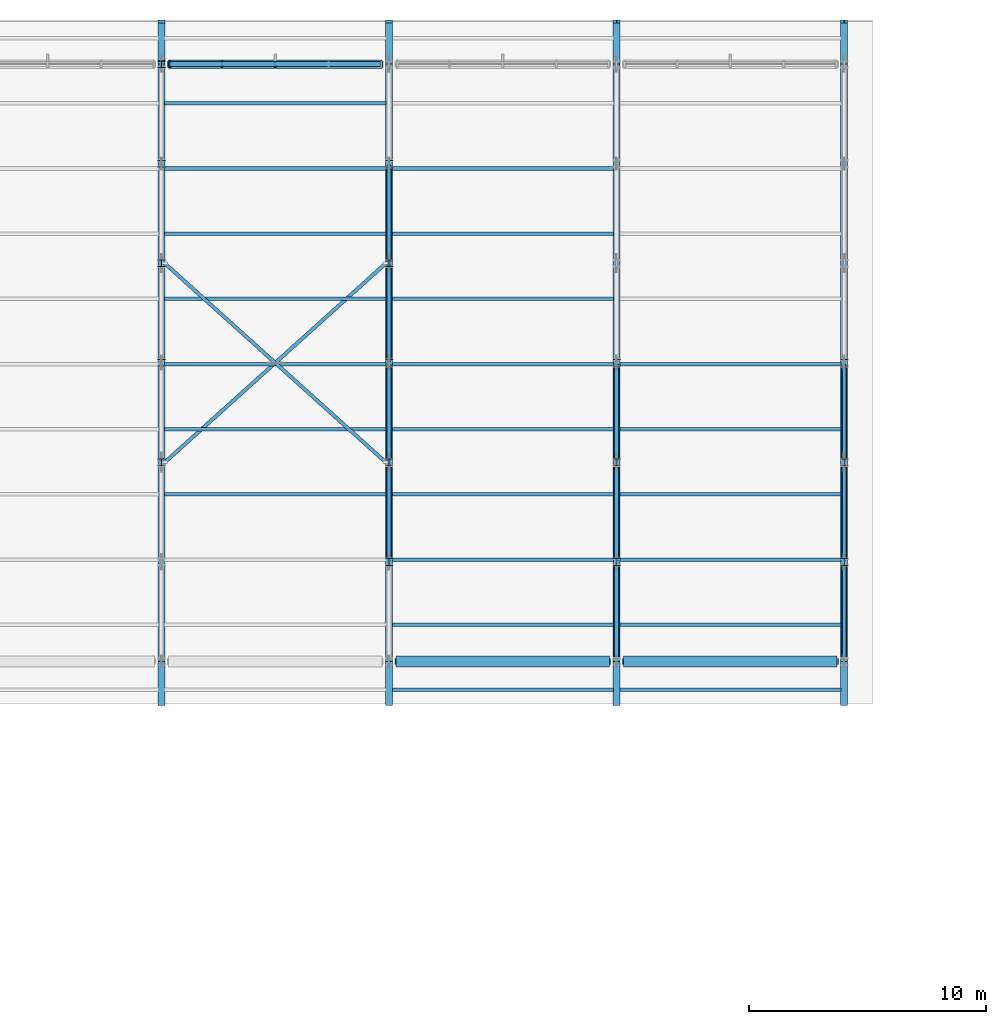
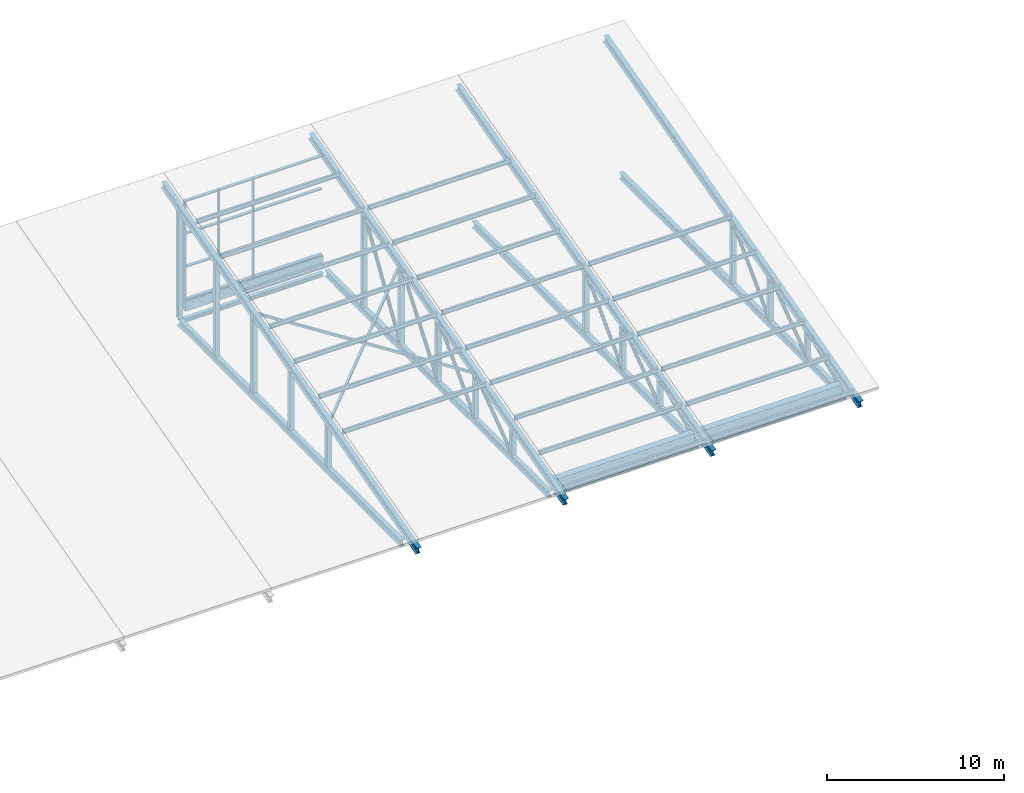
# One storey, part 7 of 37: 61 members, 11 beams, 1 element without a shape of its own.
"""IFC4 building model written with IfcOpenShell, lengths in metres."""

from ifc_helpers import new_model, si_unit, direction, frame, origin, origin_2d, place, context, subcontext, project, spatial, rectangle, hollow_rectangle, hollow_circle, i_section, extrude, material, material_profile, profile_set, type_object, element, aggregate, save


model = new_model("IFC4")

# Units and contexts
model_context = context("Model", 3, precision=1e-05, world=origin(), true_north=direction((0.0, 1.0)))
body_context = subcontext(model_context, "Body", "Model", "MODEL_VIEW")
ifc_project = project(units=[si_unit("LENGTHUNIT", "METRE"), si_unit("AREAUNIT", "SQUARE_METRE"), si_unit("VOLUMEUNIT", "CUBIC_METRE"), si_unit("PLANEANGLEUNIT", "RADIAN"), si_unit("MASSUNIT", "GRAM", prefix="KILO")], contexts=[model_context])

# Site, building, storey
site_placement = place(None, origin())
site = spatial("IfcSite", under=ifc_project, at=site_placement, CompositionType="ELEMENT")
building_placement = place(site_placement, origin())
building = spatial("IfcBuilding", under=site, at=building_placement, Name="Shalvenor Court Art Gallery", CompositionType="ELEMENT")
storey_placement = place(building_placement, frame((0.0, 0.0, 22.199951171875)))
storey = spatial("IfcBuildingStorey", under=building, at=storey_placement, Name="L04", CompositionType="ELEMENT", Elevation=22.199951171875)

# Beams
ifc_material_1 = material(Name="Concrete C40/50", Category="concrete")
ifc_material_profile_1 = material_profile(ifc_material_1, rectangle(XDim=0.449951171875, YDim=0.75, at=origin_2d()), Name="RC 450x750")
ifc_profile_set_1 = profile_set([ifc_material_profile_1], Name="Concrete C40/50")
beam_type_1 = type_object("IfcBeamType", Name="B-04", PredefinedType="BEAM", material=ifc_profile_set_1)
for number, where, z_axis, x_axis, name in (
    (1, (105.89990234375, 97.199951171875, -0.675048828125), (1.0, 0.0, 0.0), (0.0, 1.0, 0.0), "L04 Girder BM-L04-B-04-1242"),
    (2, (115.5, 97.199951171875, -0.675048828125), (1.0, 0.0, 0.0), (0.0, 1.0, 0.0), "L04 Girder BM-L04-B-04-1243"),
):
    element("IfcBeam", number, at=place(storey_placement, frame(where, z_axis=z_axis, x_axis=x_axis)), inside=storey, type_object=beam_type_1, Name=name, PredefinedType="BEAM", context=body_context, shape_type="SweptSolid", body=[
        extrude(rectangle(XDim=0.449951171875, YDim=0.75, at=origin_2d()), origin(), (0.0, 0.0, 1.0), 9.0),
    ])

# Curtain wall, members
ifc_material_2 = material(Name="Anodised aluminium and low-iron glass curtain wall", Category="aluminium")
curtain_wall_type = type_object("IfcCurtainWallType", Name="CW-NL-V2", PredefinedType="USERDEFINED", material=ifc_material_2)
curtain_wall_placement = place(storey_placement, origin())
curtain_wall = element("IfcCurtainWall", 3, at=curtain_wall_placement, inside=storey, type_object=curtain_wall_type, Name="L04 V2 North Light Clerestory 5", ObjectType="CURTAIN WALL", PredefinedType="USERDEFINED")
ifc_material_3 = material(Name="Dark anodised bronze aluminium mullion", Category="aluminium")
ifc_material_profile_2 = material_profile(ifc_material_3, rectangle(XDim=0.080078125, YDim=0.239990234375, at=origin_2d()), Name="CWM-05")
ifc_profile_set_2 = profile_set([ifc_material_profile_2], Name="Dark anodised bronze aluminium mullion")
member_type_1 = type_object("IfcMemberType", Name="CWM-05", PredefinedType="MULLION", material=ifc_profile_set_2)
member_1_placement = place(storey_placement, frame((96.340087890625, 122.39990234375, 0.0), z_axis=(0.0, 0.0, 1.0), x_axis=(1.0, 0.0, 0.0)))
member_1 = element("IfcMember", 4, at=member_1_placement, type_object=member_type_1, Name="CW-NL-V2 mullion 1", PredefinedType="MULLION", context=body_context, shape_type="SweptSolid", body=[
    extrude(rectangle(XDim=0.080078125, YDim=0.239990234375, at=origin_2d()), origin(), (0.0, 0.0, 1.0), 6.85009765625),
])
member_2_placement = place(storey_placement, frame((98.550048828125, 122.39990234375, 0.0), z_axis=(0.0, 0.0, 1.0), x_axis=(1.0, 0.0, 0.0)))
member_2 = element("IfcMember", 5, at=member_2_placement, type_object=member_type_1, Name="CW-NL-V2 mullion 2", PredefinedType="MULLION", context=body_context, shape_type="SweptSolid", body=[
    extrude(rectangle(XDim=0.080078125, YDim=0.239990234375, at=origin_2d()), origin(), (0.0, 0.0, 1.0), 6.85009765625),
])
member_3_placement = place(storey_placement, frame((100.800048828125, 122.39990234375, 0.0), z_axis=(0.0, 0.0, 1.0), x_axis=(1.0, 0.0, 0.0)))
member_3 = element("IfcMember", 6, at=member_3_placement, type_object=member_type_1, Name="CW-NL-V2 mullion 3", PredefinedType="MULLION", context=body_context, shape_type="SweptSolid", body=[
    extrude(rectangle(XDim=0.080078125, YDim=0.239990234375, at=origin_2d()), origin(), (0.0, 0.0, 1.0), 6.85009765625),
])
ifc_material_4 = material(Name="Dark anodised bronze aluminium transom", Category="aluminium")
ifc_material_profile_3 = material_profile(ifc_material_4, rectangle(XDim=0.2099609375, YDim=0.074951171875, at=origin_2d()), Name="CWT-05")
ifc_profile_set_3 = profile_set([ifc_material_profile_3], Name="Dark anodised bronze aluminium transom")
member_type_2 = type_object("IfcMemberType", Name="CWT-05", PredefinedType="USERDEFINED", material=ifc_profile_set_3)
member_4_placement = place(storey_placement, frame((96.340087890625, 122.39990234375, 0.03759765625), z_axis=(1.0, 0.0, 0.0), x_axis=(0.0, 1.0, 0.0)))
member_4 = element("IfcMember", 7, at=member_4_placement, type_object=member_type_2, Name="CW-NL-V2 transom 1", ObjectType="TRANSOM", PredefinedType="USERDEFINED", context=body_context, shape_type="SweptSolid", body=[
    extrude(rectangle(XDim=0.2099609375, YDim=0.074951171875, at=origin_2d()), origin(), (0.0, 0.0, 1.0), 8.919921875),
])
member_5_placement = place(storey_placement, frame((96.340087890625, 122.39990234375, 2.283447265625), z_axis=(1.0, 0.0, 0.0), x_axis=(0.0, 1.0, 0.0)))
member_5 = element("IfcMember", 8, at=member_5_placement, type_object=member_type_2, Name="CW-NL-V2 transom 2", ObjectType="TRANSOM", PredefinedType="USERDEFINED", context=body_context, shape_type="SweptSolid", body=[
    extrude(rectangle(XDim=0.2099609375, YDim=0.074951171875, at=origin_2d()), origin(), (0.0, 0.0, 1.0), 8.919921875),
])
member_6_placement = place(storey_placement, frame((96.340087890625, 122.39990234375, 4.566650390625), z_axis=(1.0, 0.0, 0.0), x_axis=(0.0, 1.0, 0.0)))
member_6 = element("IfcMember", 9, at=member_6_placement, type_object=member_type_2, Name="CW-NL-V2 transom 3", ObjectType="TRANSOM", PredefinedType="USERDEFINED", context=body_context, shape_type="SweptSolid", body=[
    extrude(rectangle(XDim=0.2099609375, YDim=0.074951171875, at=origin_2d()), origin(), (0.0, 0.0, 1.0), 8.919921875),
])
member_7_placement = place(storey_placement, frame((96.340087890625, 122.39990234375, 6.8125), z_axis=(1.0, 0.0, 0.0), x_axis=(0.0, 1.0, 0.0)))
member_7 = element("IfcMember", 10, at=member_7_placement, type_object=member_type_2, Name="CW-NL-V2 transom 4", ObjectType="TRANSOM", PredefinedType="USERDEFINED", context=body_context, shape_type="SweptSolid", body=[
    extrude(rectangle(XDim=0.2099609375, YDim=0.074951171875, at=origin_2d()), origin(), (0.0, 0.0, 1.0), 8.919921875),
])
aggregate(curtain_wall, [member_1, member_2, member_3, member_4, member_5, member_6, member_7])

# Members
ifc_material_5 = material(Name="Steel S355", Category="steel")
ifc_material_profile_4 = material_profile(ifc_material_5, i_section(OverallWidth=0.14990234375, OverallDepth=0.300048828125, WebThickness=0.007080078125, FlangeThickness=0.0107421875, at=origin_2d()), Name="IPE 300")
ifc_profile_set_4 = profile_set([ifc_material_profile_4], Name="Steel S355")
member_type_3 = type_object("IfcMemberType", Name="PR-01", PredefinedType="PURLIN", material=ifc_profile_set_4)
for number, where, z_axis, x_axis, name in (
    (11, (96.135009765625, 104.25, 1.99072265625), (1.0, 0.0, 0.0), (0.0, 1.0, 0.0), "L04 V2 Roof Purlin 5.4"),
    (12, (96.135009765625, 107.0, 2.7353515625), (1.0, 0.0, 0.0), (0.0, 1.0, 0.0), "L04 V2 Roof Purlin 5.5"),
    (13, (96.135009765625, 109.75, 3.480224609375), (1.0, 0.0, 0.0), (0.0, 1.0, 0.0), "L04 V2 Roof Purlin 5.6"),
    (14, (96.135009765625, 112.5, 4.224853515625), (1.0, 0.0, 0.0), (0.0, 1.0, 0.0), "L04 V2 Roof Purlin 5.7"),
    (15, (96.135009765625, 115.25, 4.9697265625), (1.0, 0.0, 0.0), (0.0, 1.0, 0.0), "L04 V2 Roof Purlin 5.8"),
    (16, (96.135009765625, 118.0, 5.714599609375), (1.0, 0.0, 0.0), (0.0, 1.0, 0.0), "L04 V2 Roof Purlin 5.9"),
    (17, (96.135009765625, 120.75, 6.459228515625), (1.0, 0.0, 0.0), (0.0, 1.0, 0.0), "L04 V2 Roof Purlin 5.10"),
):
    element("IfcMember", number, at=place(storey_placement, frame(where, z_axis=z_axis, x_axis=x_axis)), inside=storey, type_object=member_type_3, Name=name, PredefinedType="PURLIN", context=body_context, shape_type="SweptSolid", body=[
        extrude(i_section(OverallWidth=0.14990234375, OverallDepth=0.300048828125, WebThickness=0.007080078125, FlangeThickness=0.0107421875, at=origin_2d()), origin(), (0.0, 0.0, 1.0), 9.330078125),
    ])
for number, where, z_axis, x_axis, name in (
    (18, (105.735107421875, 98.75, 0.5009765625), (1.0, 0.0, 0.0), (0.0, 1.0, 0.0), "L04 V2 Roof Purlin 6.2"),
    (19, (105.735107421875, 101.5, 1.245849609375), (1.0, 0.0, 0.0), (0.0, 1.0, 0.0), "L04 V2 Roof Purlin 6.3"),
    (20, (105.735107421875, 104.25, 1.99072265625), (1.0, 0.0, 0.0), (0.0, 1.0, 0.0), "L04 V2 Roof Purlin 6.4"),
    (21, (105.735107421875, 107.0, 2.7353515625), (1.0, 0.0, 0.0), (0.0, 1.0, 0.0), "L04 V2 Roof Purlin 6.5"),
    (22, (105.735107421875, 109.75, 3.480224609375), (1.0, 0.0, 0.0), (0.0, 1.0, 0.0), "L04 V2 Roof Purlin 6.6"),
    (23, (105.735107421875, 112.5, 4.224853515625), (1.0, 0.0, 0.0), (0.0, 1.0, 0.0), "L04 V2 Roof Purlin 6.7"),
    (24, (105.735107421875, 115.25, 4.9697265625), (1.0, 0.0, 0.0), (0.0, 1.0, 0.0), "L04 V2 Roof Purlin 6.8"),
    (25, (105.735107421875, 118.0, 5.714599609375), (1.0, 0.0, 0.0), (0.0, 1.0, 0.0), "L04 V2 Roof Purlin 6.9"),
):
    element("IfcMember", number, at=place(storey_placement, frame(where, z_axis=z_axis, x_axis=x_axis)), inside=storey, type_object=member_type_3, Name=name, PredefinedType="PURLIN", context=body_context, shape_type="SweptSolid", body=[
        extrude(i_section(OverallWidth=0.14990234375, OverallDepth=0.300048828125, WebThickness=0.007080078125, FlangeThickness=0.0107421875, at=origin_2d()), origin(), (0.0, 0.0, 1.0), 9.329833984375),
    ])
for number, where, z_axis, x_axis, name in (
    (26, (115.3349609375, 98.75, 0.5009765625), (1.0, 0.0, 0.0), (0.0, 1.0, 0.0), "L04 V2 Roof Purlin 7.2"),
    (27, (115.3349609375, 101.5, 1.245849609375), (1.0, 0.0, 0.0), (0.0, 1.0, 0.0), "L04 V2 Roof Purlin 7.3"),
    (28, (115.3349609375, 104.25, 1.99072265625), (1.0, 0.0, 0.0), (0.0, 1.0, 0.0), "L04 V2 Roof Purlin 7.4"),
    (29, (115.3349609375, 107.0, 2.7353515625), (1.0, 0.0, 0.0), (0.0, 1.0, 0.0), "L04 V2 Roof Purlin 7.5"),
    (30, (115.3349609375, 109.75, 3.480224609375), (1.0, 0.0, 0.0), (0.0, 1.0, 0.0), "L04 V2 Roof Purlin 7.6"),
):
    element("IfcMember", number, at=place(storey_placement, frame(where, z_axis=z_axis, x_axis=x_axis)), inside=storey, type_object=member_type_3, Name=name, PredefinedType="PURLIN", context=body_context, shape_type="SweptSolid", body=[
        extrude(i_section(OverallWidth=0.14990234375, OverallDepth=0.300048828125, WebThickness=0.007080078125, FlangeThickness=0.0107421875, at=origin_2d()), origin(), (0.0, 0.0, 1.0), 9.330078125),
    ])
ifc_material_6 = material(Name="Steel S355", Category="steel")
ifc_material_profile_5 = material_profile(ifc_material_6, i_section(OverallWidth=0.14990234375, OverallDepth=0.300048828125, WebThickness=0.007080078125, FlangeThickness=0.0107421875, at=origin_2d()), Name="IPE 300")
ifc_profile_set_5 = profile_set([ifc_material_profile_5], Name="Steel S355")
member_type_4 = type_object("IfcMemberType", Name="PR-03", PredefinedType="PURLIN", material=ifc_profile_set_5)
member_8_placement = place(storey_placement, frame((105.735107421875, 96.0, -0.24365234375), z_axis=(1.0, 0.0, 0.0), x_axis=(0.0, 1.0, 0.0)))
element("IfcMember", 31, at=member_8_placement, inside=storey, type_object=member_type_4, Name="L04 V2 Roof Purlin 6.1", PredefinedType="PURLIN", context=body_context, shape_type="SweptSolid", body=[
    extrude(i_section(OverallWidth=0.14990234375, OverallDepth=0.300048828125, WebThickness=0.007080078125, FlangeThickness=0.0107421875, at=origin_2d()), origin(), (0.0, 0.0, 1.0), 9.329833984375),
])
member_9_placement = place(storey_placement, frame((115.3349609375, 96.0, -0.24365234375), z_axis=(1.0, 0.0, 0.0), x_axis=(0.0, 1.0, 0.0)))
element("IfcMember", 32, at=member_9_placement, inside=storey, type_object=member_type_4, Name="L04 V2 Roof Purlin 7.1", PredefinedType="PURLIN", context=body_context, shape_type="SweptSolid", body=[
    extrude(i_section(OverallWidth=0.14990234375, OverallDepth=0.300048828125, WebThickness=0.007080078125, FlangeThickness=0.0107421875, at=origin_2d()), origin(), (0.0, 0.0, 1.0), 9.330078125),
])

# Beams
ifc_material_7 = material(Name="Concrete C40/50", Category="concrete")
ifc_material_profile_6 = material_profile(ifc_material_7, rectangle(XDim=0.35009765625, YDim=0.699951171875, at=origin_2d()), Name="RC 350x700")
ifc_profile_set_6 = profile_set([ifc_material_profile_6], Name="Concrete C40/50")
beam_type_2 = type_object("IfcBeamType", Name="SP-01", PredefinedType="SPANDREL", material=ifc_profile_set_6)
beam_placement = place(storey_placement, frame((96.300048828125, 122.39990234375, -0.349853515625), z_axis=(1.0, 0.0, 0.0), x_axis=(0.0, 1.0, 0.0)))
element("IfcBeam", 33, at=beam_placement, inside=storey, type_object=beam_type_2, Name="L04 Spandrel Girder BM-L04-SP-01-1252", PredefinedType="SPANDREL", context=body_context, shape_type="SweptSolid", body=[
    extrude(rectangle(XDim=0.35009765625, YDim=0.699951171875, at=origin_2d()), origin(), (0.0, 0.0, 1.0), 9.0),
])
ifc_material_8 = material(Name="Steel S355", Category="steel")
ifc_material_profile_7 = material_profile(ifc_material_8, i_section(OverallWidth=0.300048828125, OverallDepth=0.489990234375, WebThickness=0.011962890625, FlangeThickness=0.02294921875, at=origin_2d()), Name="HEA 500")
ifc_profile_set_7 = profile_set([ifc_material_profile_7], Name="Steel S355")
beam_type_3 = type_object("IfcBeamType", Name="TC-01", PredefinedType="USERDEFINED", material=ifc_profile_set_7)
for number, where, z_axis, x_axis, name in (
    (34, (96.0, 95.39990234375, -0.793212890625), (0.0, 0.965226070832, 0.261416587437), (-1.0, 0.0, 0.0), "TR-V2-05 Roof Truss Continuous Top Chord"),
    (35, (105.60009765625, 95.39990234375, -0.793212890625), (0.0, 0.965226070832, 0.261416587437), (-1.0, 0.0, 0.0), "TR-V2-06 Roof Truss Continuous Top Chord"),
    (36, (115.199951171875, 95.39990234375, -0.793212890625), (0.0, 0.965226070832, 0.261416587437), (-1.0, 0.0, 0.0), "TR-V2-07 Roof Truss Continuous Top Chord"),
    (37, (124.800048828125, 95.39990234375, -0.793212890625), (0.0, 0.965226070832, 0.261416587437), (-1.0, 0.0, 0.0), "TR-V2-08 Roof Truss Continuous Top Chord"),
):
    element("IfcBeam", number, at=place(storey_placement, frame(where, z_axis=z_axis, x_axis=x_axis)), inside=storey, type_object=beam_type_3, Name=name, ObjectType="ROOF TRUSS", PredefinedType="USERDEFINED", context=body_context, shape_type="SweptSolid", body=[
        extrude(i_section(OverallWidth=0.300048828125, OverallDepth=0.489990234375, WebThickness=0.011962890625, FlangeThickness=0.02294921875, at=origin_2d()), origin(), (0.0, 0.0, 1.0), 29.837646484375),
    ])
ifc_material_9 = material(Name="Steel S355", Category="steel")
ifc_material_profile_8 = material_profile(ifc_material_9, i_section(OverallWidth=0.300048828125, OverallDepth=0.449951171875, WebThickness=0.013916015625, FlangeThickness=0.02587890625, at=origin_2d()), Name="HEB 450")
ifc_profile_set_8 = profile_set([ifc_material_profile_8], Name="Steel S355")
beam_type_4 = type_object("IfcBeamType", Name="TC-03", PredefinedType="USERDEFINED", material=ifc_profile_set_8)
for number, where, z_axis, x_axis, name in (
    (38, (96.0, 97.199951171875, -1.349853515625), (0.0, 1.0, 0.0), (-1.0, 0.0, 0.0), "TR-V2-05 Roof Truss Continuous Bottom Chord"),
    (39, (105.60009765625, 97.199951171875, -1.349853515625), (0.0, 1.0, 0.0), (-1.0, 0.0, 0.0), "TR-V2-06 Roof Truss Continuous Bottom Chord"),
    (40, (115.199951171875, 97.199951171875, -1.349853515625), (0.0, 1.0, 0.0), (-1.0, 0.0, 0.0), "TR-V2-07 Roof Truss Continuous Bottom Chord"),
    (41, (124.800048828125, 97.199951171875, -1.349853515625), (0.0, 1.0, 0.0), (-1.0, 0.0, 0.0), "TR-V2-08 Roof Truss Continuous Bottom Chord"),
):
    element("IfcBeam", number, at=place(storey_placement, frame(where, z_axis=z_axis, x_axis=x_axis)), inside=storey, type_object=beam_type_4, Name=name, ObjectType="ROOF TRUSS", PredefinedType="USERDEFINED", context=body_context, shape_type="SweptSolid", body=[
        extrude(i_section(OverallWidth=0.300048828125, OverallDepth=0.449951171875, WebThickness=0.013916015625, FlangeThickness=0.02587890625, at=origin_2d()), origin(), (0.0, 0.0, 1.0), 25.199951171875),
    ])

# Members
ifc_material_10 = material(Name="Steel S355", Category="steel")
ifc_material_profile_9 = material_profile(ifc_material_10, hollow_rectangle(XDim=0.14990234375, YDim=0.14990234375, WallThickness=0.008056640625, at=origin_2d()), Name="SHS 150x150x8.0")
ifc_profile_set_9 = profile_set([ifc_material_profile_9], Name="Steel S355")
member_type_5 = type_object("IfcMemberType", Name="TM-B1", PredefinedType="BRACE", material=ifc_profile_set_9)
member_10_placement = place(storey_placement, frame((96.135009765625, 105.60009765625, 1.96923828125), z_axis=(0.73127303338, 0.658367699039, 0.178302337373), x_axis=(-0.669089354157, 0.743181967054, 0.0)))
element("IfcMember", 42, at=member_10_placement, inside=storey, type_object=member_type_5, Name="L04 V2 Roof Plan Brace 5.1", PredefinedType="BRACE", context=body_context, shape_type="SweptSolid", body=[
    extrude(hollow_rectangle(XDim=0.14990234375, YDim=0.14990234375, WallThickness=0.008056640625, at=origin_2d()), origin(), (0.0, 0.0, 1.0), 12.7587890625),
])
for number, where, z_axis, x_axis, name in (
    (43, (105.465087890625, 105.60009765625, 1.96923828125), (-0.731274551437, 0.65836976494, 0.178288482616), (-0.669089746621, -0.743181613717, 0.0), "L04 V2 Roof Plan Brace 5.2A"),
    (44, (100.785400390625, 109.813232421875, 3.1103515625), (-0.731274551437, 0.65836976494, 0.178288482616), (-0.669089746621, -0.743181613717, 0.0), "L04 V2 Roof Plan Brace 5.2B"),
):
    element("IfcMember", number, at=place(storey_placement, frame(where, z_axis=z_axis, x_axis=x_axis)), inside=storey, type_object=member_type_5, Name=name, PredefinedType="BRACE", context=body_context, shape_type="SweptSolid", body=[
        extrude(hollow_rectangle(XDim=0.14990234375, YDim=0.14990234375, WallThickness=0.008056640625, at=origin_2d()), origin(), (0.0, 0.0, 1.0), 6.359375),
    ])
ifc_material_11 = material(Name="Steel S355", Category="steel")
ifc_material_profile_10 = material_profile(ifc_material_11, i_section(OverallWidth=0.260009765625, OverallDepth=0.260009765625, WebThickness=0.010009765625, FlangeThickness=0.017578125, at=origin_2d()), Name="HEB 260")
ifc_profile_set_10 = profile_set([ifc_material_profile_10], Name="Steel S355")
member_type_6 = type_object("IfcMemberType", Name="TM-C1", PredefinedType="CHORD", material=ifc_profile_set_10)
member_11_placement = place(storey_placement, frame((96.25, 122.39990234375, -1.349853515625), z_axis=(1.0, 0.0, 0.0), x_axis=(0.0, 1.0, 0.0)))
element("IfcMember", 45, at=member_11_placement, inside=storey, type_object=member_type_6, Name="L04 V2 Eave Truss Chord Tie 5.2", PredefinedType="CHORD", context=body_context, shape_type="SweptSolid", body=[
    extrude(i_section(OverallWidth=0.260009765625, OverallDepth=0.260009765625, WebThickness=0.010009765625, FlangeThickness=0.017578125, at=origin_2d()), origin(), (0.0, 0.0, 1.0), 9.10009765625),
])
member_12_placement = place(storey_placement, frame((105.85009765625, 97.199951171875, -1.349853515625), z_axis=(1.0, 0.0, 0.0), x_axis=(0.0, 1.0, 0.0)))
element("IfcMember", 46, at=member_12_placement, inside=storey, type_object=member_type_6, Name="L04 V2 Eave Truss Chord Tie 6.1", PredefinedType="CHORD", context=body_context, shape_type="SweptSolid", body=[
    extrude(i_section(OverallWidth=0.260009765625, OverallDepth=0.260009765625, WebThickness=0.010009765625, FlangeThickness=0.017578125, at=origin_2d()), origin(), (0.0, 0.0, 1.0), 9.099853515625),
])
member_13_placement = place(storey_placement, frame((115.449951171875, 97.199951171875, -1.349853515625), z_axis=(1.0, 0.0, 0.0), x_axis=(0.0, 1.0, 0.0)))
element("IfcMember", 47, at=member_13_placement, inside=storey, type_object=member_type_6, Name="L04 V2 Eave Truss Chord Tie 7.1", PredefinedType="CHORD", context=body_context, shape_type="SweptSolid", body=[
    extrude(i_section(OverallWidth=0.260009765625, OverallDepth=0.260009765625, WebThickness=0.010009765625, FlangeThickness=0.017578125, at=origin_2d()), origin(), (0.0, 0.0, 1.0), 9.10009765625),
])
ifc_material_12 = material(Name="Steel S355", Category="steel")
ifc_material_profile_11 = material_profile(ifc_material_12, hollow_circle(Radius=0.109619140625, WallThickness=0.010009765625, at=origin_2d()), Name="CHS 219.1x10.0")
ifc_profile_set_11 = profile_set([ifc_material_profile_11], Name="Steel S355")
member_type_7 = type_object("IfcMemberType", Name="TM-D1", PredefinedType="BRACE", material=ifc_profile_set_11)
member_14_placement = place(storey_placement, frame((105.60009765625, 101.5400390625, -1.135009765625), z_axis=(0.0, 0.80694152296, 0.590631338928), x_axis=(-1.0, 0.0, 0.0)))
element("IfcMember", 48, at=member_14_placement, inside=storey, type_object=member_type_7, Name="TR-V2-06 Roof Truss Diagonal 2", PredefinedType="BRACE", context=body_context, shape_type="SweptSolid", body=[
    extrude(hollow_circle(Radius=0.109619140625, WallThickness=0.010009765625, at=origin_2d()), origin(), (0.0, 0.0, 1.0), 4.857666015625),
])
member_15_placement = place(storey_placement, frame((105.60009765625, 105.739990234375, -1.135009765625), z_axis=(0.0, 0.699311572862, 0.714816986411), x_axis=(-1.0, 0.0, 0.0)))
element("IfcMember", 49, at=member_15_placement, inside=storey, type_object=member_type_7, Name="TR-V2-06 Roof Truss Diagonal 3", PredefinedType="BRACE", context=body_context, shape_type="SweptSolid", body=[
    extrude(hollow_circle(Radius=0.109619140625, WallThickness=0.010009765625, at=origin_2d()), origin(), (0.0, 0.0, 1.0), 5.60546875),
])
member_16_placement = place(storey_placement, frame((105.60009765625, 109.93994140625, -1.135009765625), z_axis=(0.0, 0.606112588318, 0.79537885959), x_axis=(-1.0, 0.0, 0.0)))
element("IfcMember", 50, at=member_16_placement, inside=storey, type_object=member_type_7, Name="TR-V2-06 Roof Truss Diagonal 4", PredefinedType="BRACE", context=body_context, shape_type="SweptSolid", body=[
    extrude(hollow_circle(Radius=0.109619140625, WallThickness=0.010009765625, at=origin_2d()), origin(), (0.0, 0.0, 1.0), 6.4677734375),
])
member_17_placement = place(storey_placement, frame((105.60009765625, 114.139892578125, -1.135009765625), z_axis=(0.0, 0.529423853973, 0.848357461713), x_axis=(-1.0, 0.0, 0.0)))
element("IfcMember", 51, at=member_17_placement, inside=storey, type_object=member_type_7, Name="TR-V2-06 Roof Truss Diagonal 5", PredefinedType="BRACE", context=body_context, shape_type="SweptSolid", body=[
    extrude(hollow_circle(Radius=0.109619140625, WallThickness=0.010009765625, at=origin_2d()), origin(), (0.0, 0.0, 1.0), 7.404541015625),
])
member_18_placement = place(storey_placement, frame((115.199951171875, 97.340087890625, -1.135009765625), z_axis=(0.0, 0.914718437716, 0.404091796134), x_axis=(-1.0, 0.0, 0.0)))
element("IfcMember", 52, at=member_18_placement, inside=storey, type_object=member_type_7, Name="TR-V2-07 Roof Truss Diagonal 1", PredefinedType="BRACE", context=body_context, shape_type="SweptSolid", body=[
    extrude(hollow_circle(Radius=0.109619140625, WallThickness=0.010009765625, at=origin_2d()), origin(), (0.0, 0.0, 1.0), 4.285400390625),
])
member_19_placement = place(storey_placement, frame((115.199951171875, 101.5400390625, -1.135009765625), z_axis=(0.0, 0.80694152296, 0.590631338928), x_axis=(-1.0, 0.0, 0.0)))
element("IfcMember", 53, at=member_19_placement, inside=storey, type_object=member_type_7, Name="TR-V2-07 Roof Truss Diagonal 2", PredefinedType="BRACE", context=body_context, shape_type="SweptSolid", body=[
    extrude(hollow_circle(Radius=0.109619140625, WallThickness=0.010009765625, at=origin_2d()), origin(), (0.0, 0.0, 1.0), 4.857666015625),
])
member_20_placement = place(storey_placement, frame((115.199951171875, 105.739990234375, -1.135009765625), z_axis=(0.0, 0.699311572862, 0.714816986411), x_axis=(-1.0, 0.0, 0.0)))
element("IfcMember", 54, at=member_20_placement, inside=storey, type_object=member_type_7, Name="TR-V2-07 Roof Truss Diagonal 3", PredefinedType="BRACE", context=body_context, shape_type="SweptSolid", body=[
    extrude(hollow_circle(Radius=0.109619140625, WallThickness=0.010009765625, at=origin_2d()), origin(), (0.0, 0.0, 1.0), 5.60546875),
])
member_21_placement = place(storey_placement, frame((124.800048828125, 97.340087890625, -1.135009765625), z_axis=(0.0, 0.914718437716, 0.404091796134), x_axis=(-1.0, 0.0, 0.0)))
element("IfcMember", 55, at=member_21_placement, inside=storey, type_object=member_type_7, Name="TR-V2-08 Roof Truss Diagonal 1", PredefinedType="BRACE", context=body_context, shape_type="SweptSolid", body=[
    extrude(hollow_circle(Radius=0.109619140625, WallThickness=0.010009765625, at=origin_2d()), origin(), (0.0, 0.0, 1.0), 4.285400390625),
])
member_22_placement = place(storey_placement, frame((124.800048828125, 101.5400390625, -1.135009765625), z_axis=(0.0, 0.80694152296, 0.590631338928), x_axis=(-1.0, 0.0, 0.0)))
element("IfcMember", 56, at=member_22_placement, inside=storey, type_object=member_type_7, Name="TR-V2-08 Roof Truss Diagonal 2", PredefinedType="BRACE", context=body_context, shape_type="SweptSolid", body=[
    extrude(hollow_circle(Radius=0.109619140625, WallThickness=0.010009765625, at=origin_2d()), origin(), (0.0, 0.0, 1.0), 4.857666015625),
])
member_23_placement = place(storey_placement, frame((124.800048828125, 105.739990234375, -1.135009765625), z_axis=(0.0, 0.699311572862, 0.714816986411), x_axis=(-1.0, 0.0, 0.0)))
element("IfcMember", 57, at=member_23_placement, inside=storey, type_object=member_type_7, Name="TR-V2-08 Roof Truss Diagonal 3", PredefinedType="BRACE", context=body_context, shape_type="SweptSolid", body=[
    extrude(hollow_circle(Radius=0.109619140625, WallThickness=0.010009765625, at=origin_2d()), origin(), (0.0, 0.0, 1.0), 5.60546875),
])
ifc_material_13 = material(Name="Steel S355", Category="steel")
ifc_material_profile_12 = material_profile(ifc_material_13, i_section(OverallWidth=0.300048828125, OverallDepth=0.300048828125, WebThickness=0.010986328125, FlangeThickness=0.01904296875, at=origin_2d()), Name="HEB 300")
ifc_profile_set_12 = profile_set([ifc_material_profile_12], Name="Steel S355")
member_type_8 = type_object("IfcMemberType", Name="TM-V2", PredefinedType="STRUT", material=ifc_profile_set_12)
member_24_placement = place(storey_placement, frame((96.0, 105.60009765625, -1.1298828125), z_axis=(0.0, 0.0, 1.0), x_axis=(1.0, 0.0, 0.0)))
element("IfcMember", 58, at=member_24_placement, inside=storey, type_object=member_type_8, Name="TR-V2-05 Roof Truss Vertical 3", PredefinedType="STRUT", context=body_context, shape_type="SweptSolid", body=[
    extrude(i_section(OverallWidth=0.300048828125, OverallDepth=0.300048828125, WebThickness=0.010986328125, FlangeThickness=0.01904296875, at=origin_2d()), origin(), (0.0, 0.0, 1.0), 2.859130859375),
])
member_25_placement = place(storey_placement, frame((96.0, 109.800048828125, -1.1298828125), z_axis=(0.0, 0.0, 1.0), x_axis=(1.0, 0.0, 0.0)))
element("IfcMember", 59, at=member_25_placement, inside=storey, type_object=member_type_8, Name="TR-V2-05 Roof Truss Vertical 4", PredefinedType="STRUT", context=body_context, shape_type="SweptSolid", body=[
    extrude(i_section(OverallWidth=0.300048828125, OverallDepth=0.300048828125, WebThickness=0.010986328125, FlangeThickness=0.01904296875, at=origin_2d()), origin(), (0.0, 0.0, 1.0), 3.99658203125),
])
member_26_placement = place(storey_placement, frame((96.0, 114.0, -1.1298828125), z_axis=(0.0, 0.0, 1.0), x_axis=(1.0, 0.0, 0.0)))
element("IfcMember", 60, at=member_26_placement, inside=storey, type_object=member_type_8, Name="TR-V2-05 Roof Truss Vertical 5", PredefinedType="STRUT", context=body_context, shape_type="SweptSolid", body=[
    extrude(i_section(OverallWidth=0.300048828125, OverallDepth=0.300048828125, WebThickness=0.010986328125, FlangeThickness=0.01904296875, at=origin_2d()), origin(), (0.0, 0.0, 1.0), 5.134033203125),
])
member_27_placement = place(storey_placement, frame((96.0, 118.199951171875, -1.1298828125), z_axis=(0.0, 0.0, 1.0), x_axis=(1.0, 0.0, 0.0)))
element("IfcMember", 61, at=member_27_placement, inside=storey, type_object=member_type_8, Name="TR-V2-05 Roof Truss Vertical 6", PredefinedType="STRUT", context=body_context, shape_type="SweptSolid", body=[
    extrude(i_section(OverallWidth=0.300048828125, OverallDepth=0.300048828125, WebThickness=0.010986328125, FlangeThickness=0.01904296875, at=origin_2d()), origin(), (0.0, 0.0, 1.0), 6.271728515625),
])
member_28_placement = place(storey_placement, frame((96.0, 122.39990234375, -1.1298828125), z_axis=(0.0, 0.0, 1.0), x_axis=(1.0, 0.0, 0.0)))
element("IfcMember", 62, at=member_28_placement, inside=storey, type_object=member_type_8, Name="TR-V2-05 Roof Truss Vertical 7", PredefinedType="STRUT", context=body_context, shape_type="SweptSolid", body=[
    extrude(i_section(OverallWidth=0.300048828125, OverallDepth=0.300048828125, WebThickness=0.010986328125, FlangeThickness=0.01904296875, at=origin_2d()), origin(), (0.0, 0.0, 1.0), 7.4091796875),
])
member_29_placement = place(storey_placement, frame((105.60009765625, 101.39990234375, -1.1298828125), z_axis=(0.0, 0.0, 1.0), x_axis=(1.0, 0.0, 0.0)))
element("IfcMember", 63, at=member_29_placement, inside=storey, type_object=member_type_8, Name="TR-V2-06 Roof Truss Vertical 2", PredefinedType="STRUT", context=body_context, shape_type="SweptSolid", body=[
    extrude(i_section(OverallWidth=0.300048828125, OverallDepth=0.300048828125, WebThickness=0.010986328125, FlangeThickness=0.01904296875, at=origin_2d()), origin(), (0.0, 0.0, 1.0), 1.7216796875),
])
member_30_placement = place(storey_placement, frame((105.60009765625, 105.60009765625, -1.1298828125), z_axis=(0.0, 0.0, 1.0), x_axis=(1.0, 0.0, 0.0)))
element("IfcMember", 64, at=member_30_placement, inside=storey, type_object=member_type_8, Name="TR-V2-06 Roof Truss Vertical 3", PredefinedType="STRUT", context=body_context, shape_type="SweptSolid", body=[
    extrude(i_section(OverallWidth=0.300048828125, OverallDepth=0.300048828125, WebThickness=0.010986328125, FlangeThickness=0.01904296875, at=origin_2d()), origin(), (0.0, 0.0, 1.0), 2.859130859375),
])
member_31_placement = place(storey_placement, frame((105.60009765625, 109.800048828125, -1.1298828125), z_axis=(0.0, 0.0, 1.0), x_axis=(1.0, 0.0, 0.0)))
element("IfcMember", 65, at=member_31_placement, inside=storey, type_object=member_type_8, Name="TR-V2-06 Roof Truss Vertical 4", PredefinedType="STRUT", context=body_context, shape_type="SweptSolid", body=[
    extrude(i_section(OverallWidth=0.300048828125, OverallDepth=0.300048828125, WebThickness=0.010986328125, FlangeThickness=0.01904296875, at=origin_2d()), origin(), (0.0, 0.0, 1.0), 3.99658203125),
])
member_32_placement = place(storey_placement, frame((105.60009765625, 114.0, -1.1298828125), z_axis=(0.0, 0.0, 1.0), x_axis=(1.0, 0.0, 0.0)))
element("IfcMember", 66, at=member_32_placement, inside=storey, type_object=member_type_8, Name="TR-V2-06 Roof Truss Vertical 5", PredefinedType="STRUT", context=body_context, shape_type="SweptSolid", body=[
    extrude(i_section(OverallWidth=0.300048828125, OverallDepth=0.300048828125, WebThickness=0.010986328125, FlangeThickness=0.01904296875, at=origin_2d()), origin(), (0.0, 0.0, 1.0), 5.134033203125),
])
member_33_placement = place(storey_placement, frame((105.60009765625, 118.199951171875, -1.1298828125), z_axis=(0.0, 0.0, 1.0), x_axis=(1.0, 0.0, 0.0)))
element("IfcMember", 67, at=member_33_placement, inside=storey, type_object=member_type_8, Name="TR-V2-06 Roof Truss Vertical 6", PredefinedType="STRUT", context=body_context, shape_type="SweptSolid", body=[
    extrude(i_section(OverallWidth=0.300048828125, OverallDepth=0.300048828125, WebThickness=0.010986328125, FlangeThickness=0.01904296875, at=origin_2d()), origin(), (0.0, 0.0, 1.0), 6.271728515625),
])
member_34_placement = place(storey_placement, frame((115.199951171875, 101.39990234375, -1.1298828125), z_axis=(0.0, 0.0, 1.0), x_axis=(1.0, 0.0, 0.0)))
element("IfcMember", 68, at=member_34_placement, inside=storey, type_object=member_type_8, Name="TR-V2-07 Roof Truss Vertical 2", PredefinedType="STRUT", context=body_context, shape_type="SweptSolid", body=[
    extrude(i_section(OverallWidth=0.300048828125, OverallDepth=0.300048828125, WebThickness=0.010986328125, FlangeThickness=0.01904296875, at=origin_2d()), origin(), (0.0, 0.0, 1.0), 1.7216796875),
])
member_35_placement = place(storey_placement, frame((115.199951171875, 105.60009765625, -1.1298828125), z_axis=(0.0, 0.0, 1.0), x_axis=(1.0, 0.0, 0.0)))
element("IfcMember", 69, at=member_35_placement, inside=storey, type_object=member_type_8, Name="TR-V2-07 Roof Truss Vertical 3", PredefinedType="STRUT", context=body_context, shape_type="SweptSolid", body=[
    extrude(i_section(OverallWidth=0.300048828125, OverallDepth=0.300048828125, WebThickness=0.010986328125, FlangeThickness=0.01904296875, at=origin_2d()), origin(), (0.0, 0.0, 1.0), 2.859130859375),
])
member_36_placement = place(storey_placement, frame((115.199951171875, 109.800048828125, -1.1298828125), z_axis=(0.0, 0.0, 1.0), x_axis=(1.0, 0.0, 0.0)))
element("IfcMember", 70, at=member_36_placement, inside=storey, type_object=member_type_8, Name="TR-V2-07 Roof Truss Vertical 4", PredefinedType="STRUT", context=body_context, shape_type="SweptSolid", body=[
    extrude(i_section(OverallWidth=0.300048828125, OverallDepth=0.300048828125, WebThickness=0.010986328125, FlangeThickness=0.01904296875, at=origin_2d()), origin(), (0.0, 0.0, 1.0), 3.99658203125),
])
member_37_placement = place(storey_placement, frame((124.800048828125, 101.39990234375, -1.1298828125), z_axis=(0.0, 0.0, 1.0), x_axis=(1.0, 0.0, 0.0)))
element("IfcMember", 71, at=member_37_placement, inside=storey, type_object=member_type_8, Name="TR-V2-08 Roof Truss Vertical 2", PredefinedType="STRUT", context=body_context, shape_type="SweptSolid", body=[
    extrude(i_section(OverallWidth=0.300048828125, OverallDepth=0.300048828125, WebThickness=0.010986328125, FlangeThickness=0.01904296875, at=origin_2d()), origin(), (0.0, 0.0, 1.0), 1.7216796875),
])
member_38_placement = place(storey_placement, frame((124.800048828125, 105.60009765625, -1.1298828125), z_axis=(0.0, 0.0, 1.0), x_axis=(1.0, 0.0, 0.0)))
element("IfcMember", 72, at=member_38_placement, inside=storey, type_object=member_type_8, Name="TR-V2-08 Roof Truss Vertical 3", PredefinedType="STRUT", context=body_context, shape_type="SweptSolid", body=[
    extrude(i_section(OverallWidth=0.300048828125, OverallDepth=0.300048828125, WebThickness=0.010986328125, FlangeThickness=0.01904296875, at=origin_2d()), origin(), (0.0, 0.0, 1.0), 2.859130859375),
])
member_39_placement = place(storey_placement, frame((124.800048828125, 109.800048828125, -1.1298828125), z_axis=(0.0, 0.0, 1.0), x_axis=(1.0, 0.0, 0.0)))
element("IfcMember", 73, at=member_39_placement, inside=storey, type_object=member_type_8, Name="TR-V2-08 Roof Truss Vertical 4", PredefinedType="STRUT", context=body_context, shape_type="SweptSolid", body=[
    extrude(i_section(OverallWidth=0.300048828125, OverallDepth=0.300048828125, WebThickness=0.010986328125, FlangeThickness=0.01904296875, at=origin_2d()), origin(), (0.0, 0.0, 1.0), 3.99658203125),
])

save(model, "model.ifc")
